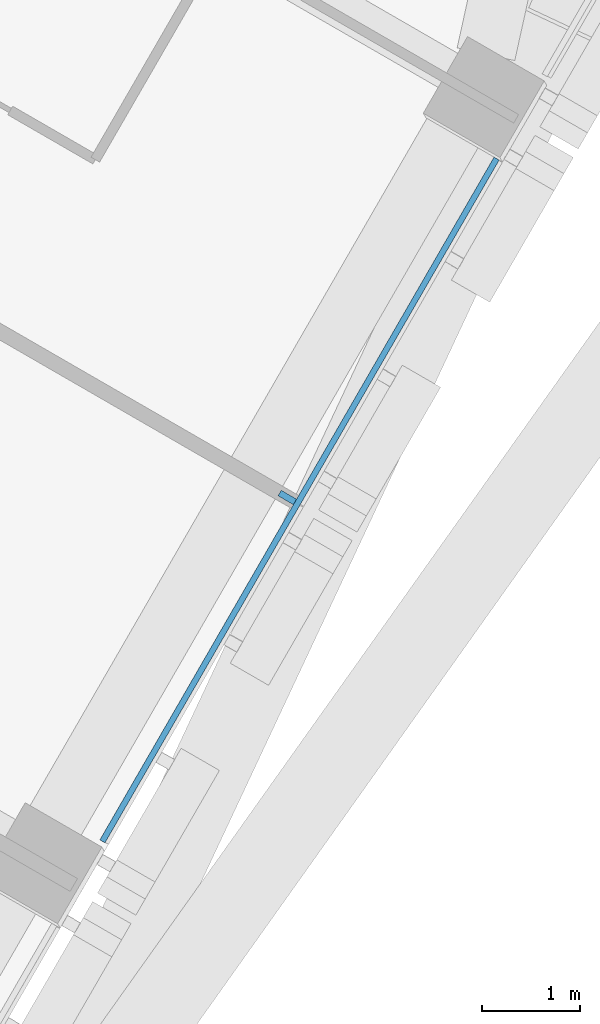
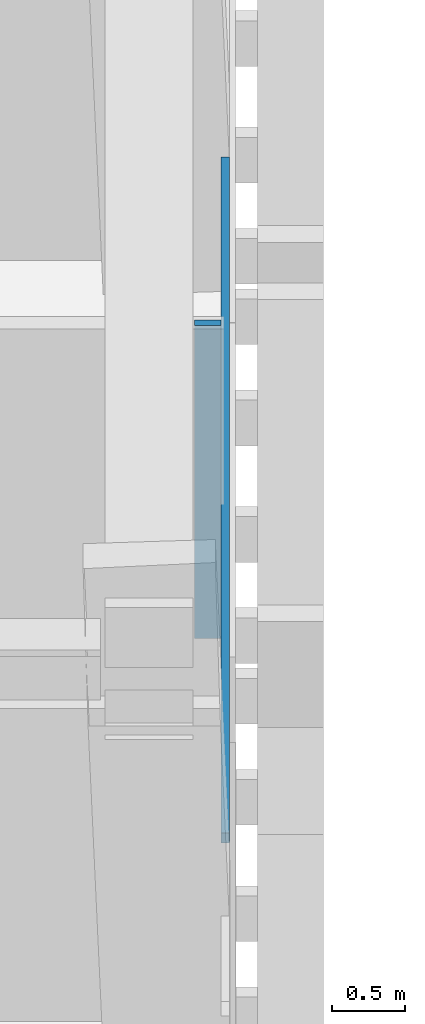
# One storey, part 11 of 23: 2 members, 1 element without a shape of its own.
"""IFC4 building model written with IfcOpenShell, lengths in metres."""

from ifc_helpers import new_model, si_unit, direction, frame, origin, origin_2d, place, context, subcontext, project, spatial, rectangle, extrude, material, layer, layer_set, material_profile, profile_set, type_object, element, aggregate, save


model = new_model("IFC4")

# Units and contexts
model_context = context("Model", 3, precision=1e-05, world=origin(), true_north=direction((0.0, 1.0)))
body_context = subcontext(model_context, "Body", "Model", "MODEL_VIEW")
ifc_project = project(units=[si_unit("LENGTHUNIT", "METRE"), si_unit("AREAUNIT", "SQUARE_METRE"), si_unit("VOLUMEUNIT", "CUBIC_METRE"), si_unit("PLANEANGLEUNIT", "RADIAN"), si_unit("MASSUNIT", "GRAM", prefix="KILO")], contexts=[model_context])

# Site, building, storey
site_placement = place(None, origin())
site = spatial("IfcSite", under=ifc_project, at=site_placement, CompositionType="ELEMENT")
building_placement = place(site_placement, origin())
building = spatial("IfcBuilding", under=site, at=building_placement, Name="Altiplano Prism Tower", CompositionType="ELEMENT")
storey_placement = place(building_placement, frame((0.0, 0.0, 100.800048828125)))
storey = spatial("IfcBuildingStorey", under=building, at=storey_placement, Name="L25", CompositionType="ELEMENT", Elevation=100.800048828125)

# Curtain wall, members
ifc_material_1 = material(Name="Aluminium and glass", Category="aluminium")
ifc_layer = layer(ifc_material_1, 0.280029296875)
ifc_layer_set = layer_set([ifc_layer], Name="Aluminium and glass")
curtain_wall_type = type_object("IfcCurtainWallType", Name="CW1 typical co-living unitised curtain wall", PredefinedType="NOTDEFINED", material=ifc_layer_set)
curtain_wall_placement = place(storey_placement, origin())
curtain_wall = element("IfcCurtainWall", 1, at=curtain_wall_placement, inside=storey, type_object=curtain_wall_type, Name="CW1 curtain wall south-east face L25", PredefinedType="NOTDEFINED")
ifc_material_2 = material(Name="Aluminium", Category="aluminium")
ifc_material_profile_1 = material_profile(ifc_material_2, rectangle(XDim=0.179931640625, YDim=0.06494140625, at=origin_2d()), Name="CW1 mullion 65 x 180")
ifc_profile_set_1 = profile_set([ifc_material_profile_1], Name="Aluminium")
member_type_1 = type_object("IfcMemberType", Name="CW1 mullion 65 x 180", PredefinedType="MULLION", material=ifc_profile_set_1)
member_1_placement = place(storey_placement, frame((105.882080078125, 84.2294921875, 0.0), z_axis=(0.0, 0.0, 1.0), x_axis=(-0.866025402825, 0.500000001663, 0.0)))
member_1 = element("IfcMember", 2, at=member_1_placement, type_object=member_type_1, Name="CW1 mullion", PredefinedType="MULLION", context=body_context, shape_type="SweptSolid", body=[
    extrude(rectangle(XDim=0.179931640625, YDim=0.06494140625, at=origin_2d()), origin(), (0.0, 0.0, 1.0), 2.599853515625),
])
ifc_material_profile_2 = material_profile(ifc_material_2, rectangle(XDim=0.06005859375, YDim=0.080078125, at=origin_2d()), Name="CW1 transom 80 x 60")
ifc_profile_set_2 = profile_set([ifc_material_profile_2], Name="Aluminium")
member_type_2 = type_object("IfcMemberType", Name="CW1 transom 80 x 60", PredefinedType="USERDEFINED", material=ifc_profile_set_2)
member_2_placement = place(storey_placement, frame((104.0009765625, 80.73095703125, 1.099853515625), z_axis=(0.499985955615, 0.866033512162, 0.0), x_axis=(-0.866033512162, 0.499985955615, 0.0)))
member_2 = element("IfcMember", 3, at=member_2_placement, type_object=member_type_2, Name="CW1 transom", ObjectType="TRANSOM", PredefinedType="USERDEFINED", context=body_context, shape_type="SweptSolid", body=[
    extrude(rectangle(XDim=0.06005859375, YDim=0.080078125, at=origin_2d()), origin(), (0.0, 0.0, 1.0), 8.020263671875),
])
aggregate(curtain_wall, [member_1, member_2])

save(model, "model.ifc")
